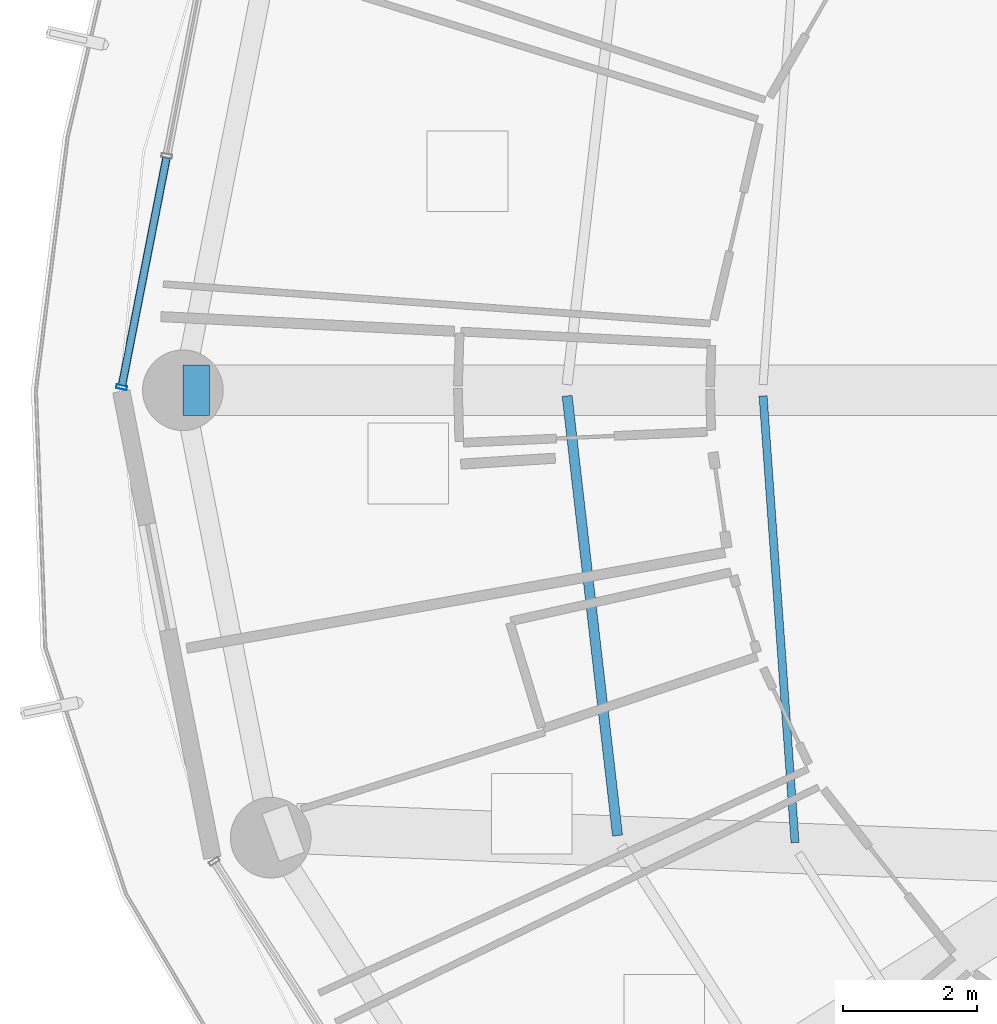
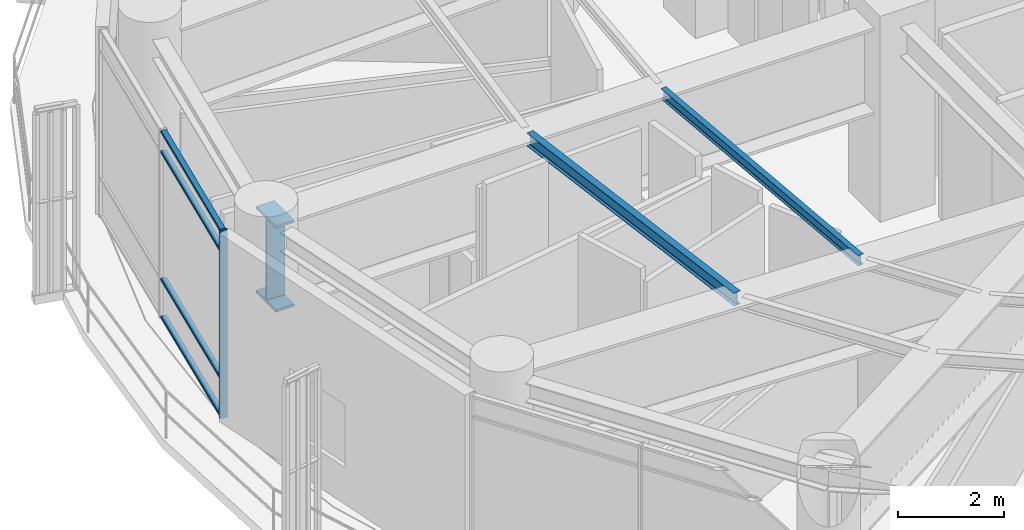
# One storey, part 6 of 28: 5 members, 3 beams, 1 element without a shape of its own.
"""IFC4 building model written with IfcOpenShell, lengths in metres."""

from ifc_helpers import new_model, si_unit, direction, frame, origin, origin_2d, place, context, subcontext, project, spatial, hollow_rectangle, i_section, extrude, material, layer, layer_set, material_profile, profile_set, type_object, element, aggregate, save


model = new_model("IFC4")

# Units and contexts
model_context = context("Model", 3, precision=1e-05, world=origin(), true_north=direction((0.0, 1.0)))
body_context = subcontext(model_context, "Body", "Model", "MODEL_VIEW")
ifc_project = project(units=[si_unit("LENGTHUNIT", "METRE"), si_unit("AREAUNIT", "SQUARE_METRE"), si_unit("VOLUMEUNIT", "CUBIC_METRE"), si_unit("PLANEANGLEUNIT", "RADIAN"), si_unit("MASSUNIT", "GRAM", prefix="KILO")], contexts=[model_context])

# Site, building, storey
site_placement = place(None, origin())
site = spatial("IfcSite", under=ifc_project, at=site_placement, CompositionType="ELEMENT")
building_placement = place(site_placement, origin())
building = spatial("IfcBuilding", under=site, at=building_placement, Name="Kelanora Arch Commons", CompositionType="ELEMENT")
storey_placement = place(building_placement, frame((0.0, 0.0, 184.35009765625)))
storey = spatial("IfcBuildingStorey", under=building, at=storey_placement, Name="L47", CompositionType="ELEMENT", Elevation=184.35009765625)

# Beams
ifc_material_1 = material(Name="Steel S355", Category="steel")
ifc_material_profile_1 = material_profile(ifc_material_1, i_section(OverallWidth=0.14990234375, OverallDepth=0.300048828125, WebThickness=0.007080078125, FlangeThickness=0.0107421875, FilletRadius=0.014892578125, at=origin_2d()), Name="IPE300")
ifc_profile_set_1 = profile_set([ifc_material_profile_1], Name="Steel S355")
beam_type_1 = type_object("IfcBeamType", Name="BM-JST-01", PredefinedType="JOIST", material=ifc_profile_set_1)
beam_1_placement = place(storey_placement, frame((58.041748046875, 57.91552734375, 4.2099609375), z_axis=(0.113891408177, -0.993493204377, 0.0), x_axis=(0.993493204377, 0.113891408177, 0.0)))
element("IfcBeam", 1, at=beam_1_placement, inside=storey, type_object=beam_type_1, Name="Secondary Chord Joist BJB-18 L47", PredefinedType="JOIST", context=body_context, shape_type="SweptSolid", body=[
    extrude(i_section(OverallWidth=0.14990234375, OverallDepth=0.300048828125, WebThickness=0.007080078125, FlangeThickness=0.0107421875, FilletRadius=0.014892578125, at=origin_2d()), origin(), (0.0, 0.0, 1.0), 6.589599609375),
])
ifc_material_profile_2 = material_profile(ifc_material_1, i_section(OverallWidth=0.1201171875, OverallDepth=0.239990234375, WebThickness=0.006103515625, FlangeThickness=0.009765625, FilletRadius=0.014892578125, at=origin_2d()), Name="IPE240")
ifc_profile_set_2 = profile_set([ifc_material_profile_2], Name="Steel S355")
beam_type_2 = type_object("IfcBeamType", Name="BM-JST-02", PredefinedType="JOIST", material=ifc_profile_set_2)
beam_2_placement = place(storey_placement, frame((60.959716796875, 57.915283203125, 4.239990234375), z_axis=(0.07133032136, -0.997452748382, 0.0), x_axis=(0.997452748382, 0.07133032136, 0.0)))
element("IfcBeam", 2, at=beam_2_placement, inside=storey, type_object=beam_type_2, Name="Secondary Chord Joist BJA-18 L47", PredefinedType="JOIST", context=body_context, shape_type="SweptSolid", body=[
    extrude(i_section(OverallWidth=0.1201171875, OverallDepth=0.239990234375, WebThickness=0.006103515625, FlangeThickness=0.009765625, FilletRadius=0.014892578125, at=origin_2d()), origin(), (0.0, 0.0, 1.0), 6.66748046875),
])
ifc_material_profile_3 = material_profile(ifc_material_1, i_section(OverallWidth=0.75, OverallDepth=2.0, WebThickness=0.034912109375, FlangeThickness=0.06005859375, FilletRadius=0.028076171875, at=origin_2d()), Name="PG2000x750")
ifc_profile_set_3 = profile_set([ifc_material_profile_3], Name="Steel S355")
beam_type_3 = type_object("IfcBeamType", Name="BM-XFER-SET", PredefinedType="USERDEFINED", material=ifc_profile_set_3)
beam_3_placement = place(storey_placement, frame((52.719970703125, 58.0, 3.35986328125), z_axis=(-1.0, 0.0, 0.0), x_axis=(0.0, -1.0, 0.0)))
element("IfcBeam", 3, at=beam_3_placement, inside=storey, type_object=beam_type_3, Name="Radial Floor Girder BR-18 L47", ObjectType="TRANSFER_GIRDER", PredefinedType="USERDEFINED", context=body_context, shape_type="SweptSolid", body=[
    extrude(i_section(OverallWidth=0.75, OverallDepth=2.0, WebThickness=0.034912109375, FlangeThickness=0.06005859375, FilletRadius=0.028076171875, at=origin_2d()), origin(), (0.0, 0.0, 1.0), 0.39990234375),
])

# Curtain wall, members
ifc_material_2 = material(Name="Terracotta ceramic-fritted low-E glass and aluminium", Category="masonry")
ifc_layer = layer(ifc_material_2, 0.175048828125)
ifc_layer_set = layer_set([ifc_layer], Name="Terracotta ceramic-fritted low-E glass and aluminium")
curtain_wall_type = type_object("IfcCurtainWallType", Name="CW-SYS-02", PredefinedType="NOTDEFINED", material=ifc_layer_set)
curtain_wall_placement = place(storey_placement, origin())
curtain_wall = element("IfcCurtainWall", 4, at=curtain_wall_placement, inside=storey, type_object=curtain_wall_type, Name="Unitised Curtain Wall L47-B08", PredefinedType="NOTDEFINED")
ifc_material_3 = material(Name="Powder-coated aluminium terracotta", Category="masonry")
ifc_material_profile_4 = material_profile(ifc_material_3, hollow_rectangle(XDim=0.159912109375, YDim=0.06005859375, WallThickness=0.0048828125, InnerFilletRadius=0.0048828125, OuterFilletRadius=0.010009765625, at=origin_2d()), Name="CWM160x60")
ifc_profile_set_4 = profile_set([ifc_material_profile_4], Name="Powder-coated aluminium terracotta")
member_type_1 = type_object("IfcMemberType", Name="CWM-STD", PredefinedType="MULLION", material=ifc_profile_set_4)
member_1_placement = place(storey_placement, frame((51.40869140625, 58.044189453125, 0.0), z_axis=(0.0, 0.0, 1.0), x_axis=(0.981452557718, -0.191705182375, 0.0)))
member_1 = element("IfcMember", 5, at=member_1_placement, type_object=member_type_1, Name="CW-02 mullion 3", PredefinedType="MULLION", context=body_context, shape_type="SweptSolid", body=[
    extrude(hollow_rectangle(XDim=0.159912109375, YDim=0.06005859375, WallThickness=0.0048828125, InnerFilletRadius=0.0048828125, OuterFilletRadius=0.010009765625, at=origin_2d()), origin(), (0.0, 0.0, 1.0), 4.344970703125),
])
ifc_material_profile_5 = material_profile(ifc_material_3, hollow_rectangle(XDim=0.1201171875, YDim=0.06005859375, WallThickness=0.0048828125, InnerFilletRadius=0.0048828125, OuterFilletRadius=0.010009765625, at=origin_2d()), Name="CWT120x60")
ifc_profile_set_5 = profile_set([ifc_material_profile_5], Name="Powder-coated aluminium terracotta")
member_type_2 = type_object("IfcMemberType", Name="CWT-STD", PredefinedType="USERDEFINED", material=ifc_profile_set_5)
member_2_placement = place(storey_placement, frame((52.07568359375, 61.459228515625, 0.02978515625), z_axis=(-0.191718206447, -0.981450013662, 0.0), x_axis=(0.981450013662, -0.191718206447, 0.0)))
member_2 = element("IfcMember", 6, at=member_2_placement, type_object=member_type_2, Name="CW-02 transom 2.1", ObjectType="TRANSOM", PredefinedType="USERDEFINED", context=body_context, shape_type="SweptSolid", body=[
    extrude(hollow_rectangle(XDim=0.1201171875, YDim=0.06005859375, WallThickness=0.0048828125, InnerFilletRadius=0.0048828125, OuterFilletRadius=0.010009765625, at=origin_2d()), origin(), (0.0, 0.0, 1.0), 3.44970703125),
])
member_3_placement = place(storey_placement, frame((52.07568359375, 61.459228515625, 0.89990234375), z_axis=(-0.191718206447, -0.981450013662, 0.0), x_axis=(0.981450013662, -0.191718206447, 0.0)))
member_3 = element("IfcMember", 7, at=member_3_placement, type_object=member_type_2, Name="CW-02 transom 2.2", ObjectType="TRANSOM", PredefinedType="USERDEFINED", context=body_context, shape_type="SweptSolid", body=[
    extrude(hollow_rectangle(XDim=0.1201171875, YDim=0.06005859375, WallThickness=0.0048828125, InnerFilletRadius=0.0048828125, OuterFilletRadius=0.010009765625, at=origin_2d()), origin(), (0.0, 0.0, 1.0), 3.44970703125),
])
member_4_placement = place(storey_placement, frame((52.07568359375, 61.459228515625, 3.844970703125), z_axis=(-0.191718206447, -0.981450013662, 0.0), x_axis=(0.981450013662, -0.191718206447, 0.0)))
member_4 = element("IfcMember", 8, at=member_4_placement, type_object=member_type_2, Name="CW-02 transom 2.3", ObjectType="TRANSOM", PredefinedType="USERDEFINED", context=body_context, shape_type="SweptSolid", body=[
    extrude(hollow_rectangle(XDim=0.1201171875, YDim=0.06005859375, WallThickness=0.0048828125, InnerFilletRadius=0.0048828125, OuterFilletRadius=0.010009765625, at=origin_2d()), origin(), (0.0, 0.0, 1.0), 3.44970703125),
])
member_5_placement = place(storey_placement, frame((52.07568359375, 61.459228515625, 4.31494140625), z_axis=(-0.191718206447, -0.981450013662, 0.0), x_axis=(0.981450013662, -0.191718206447, 0.0)))
member_5 = element("IfcMember", 9, at=member_5_placement, type_object=member_type_2, Name="CW-02 transom 2.4", ObjectType="TRANSOM", PredefinedType="USERDEFINED", context=body_context, shape_type="SweptSolid", body=[
    extrude(hollow_rectangle(XDim=0.1201171875, YDim=0.06005859375, WallThickness=0.0048828125, InnerFilletRadius=0.0048828125, OuterFilletRadius=0.010009765625, at=origin_2d()), origin(), (0.0, 0.0, 1.0), 3.44970703125),
])
aggregate(curtain_wall, [member_1, member_2, member_3, member_4, member_5])

save(model, "model.ifc")
